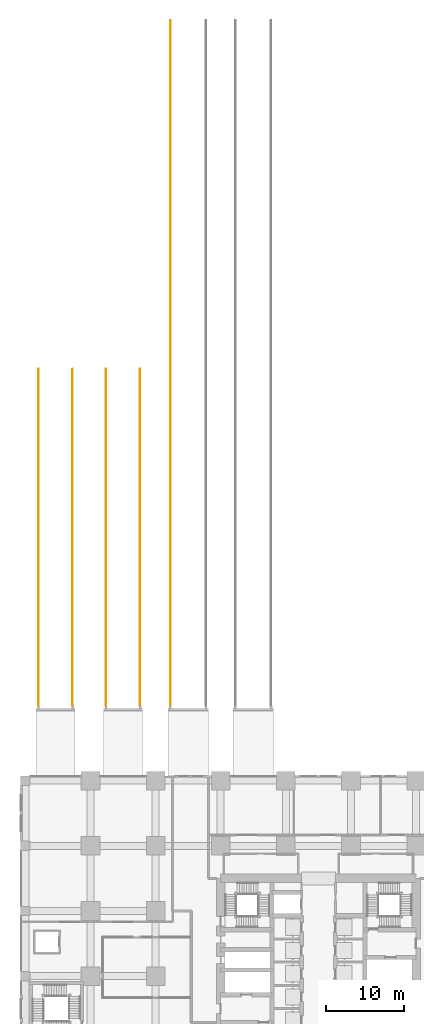
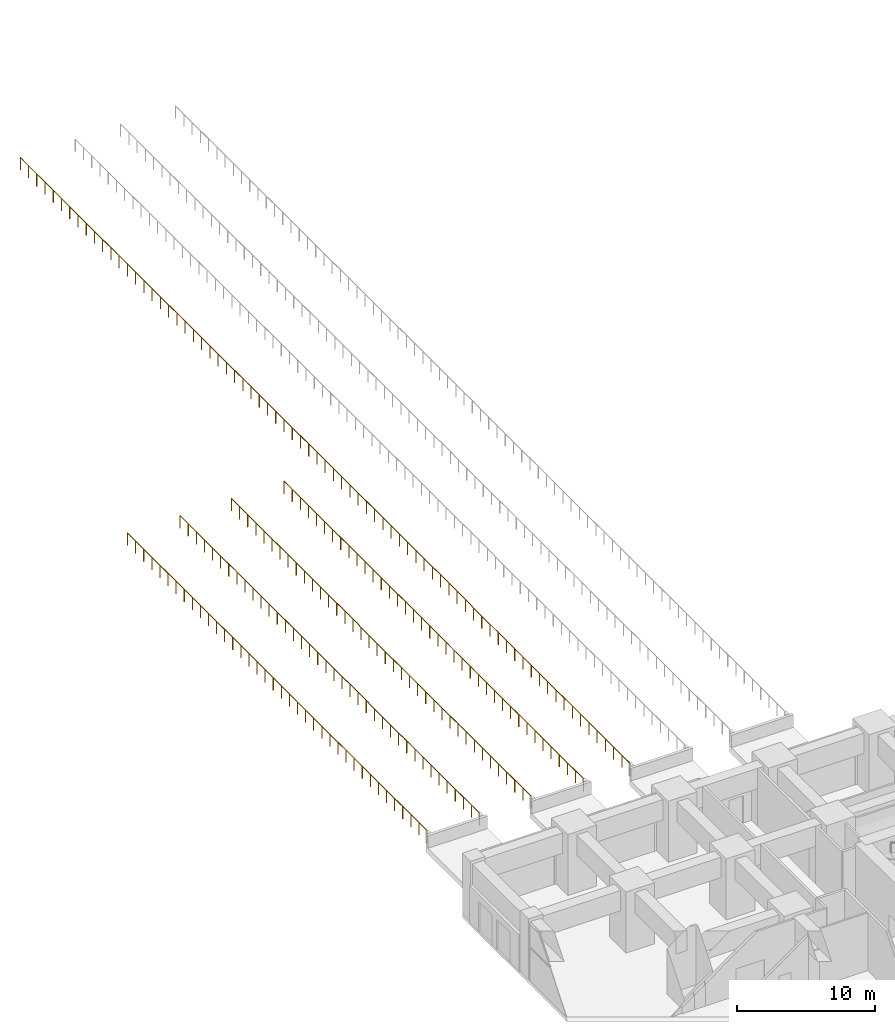
# One storey, part 55 of 81: 5 railings.
"""IFC4 building model written with IfcOpenShell, lengths in metres."""

from ifc_helpers import new_model, si_unit, direction, frame, origin, origin_2d, place, context, subcontext, project, spatial, circle, extrude, material, type_object, element, save


model = new_model("IFC4")

# Units and contexts
model_context = context("Model", 3, precision=1e-05, world=origin(), true_north=direction((0.0, 1.0)))
body_context = subcontext(model_context, "Body", "Model", "MODEL_VIEW")
ifc_project = project(units=[si_unit("LENGTHUNIT", "METRE"), si_unit("AREAUNIT", "SQUARE_METRE"), si_unit("VOLUMEUNIT", "CUBIC_METRE"), si_unit("PLANEANGLEUNIT", "RADIAN"), si_unit("MASSUNIT", "GRAM", prefix="KILO")], contexts=[model_context])

# Site, building, storey
site_placement = place(None, origin())
site = spatial("IfcSite", under=ifc_project, at=site_placement, CompositionType="ELEMENT")
building_placement = place(site_placement, origin())
building = spatial("IfcBuilding", under=site, at=building_placement, Name="Rekha Terrace Tower", CompositionType="ELEMENT")
storey_placement = place(building_placement, origin())
storey = spatial("IfcBuildingStorey", under=building, at=storey_placement, Name="L00", CompositionType="ELEMENT", Elevation=0.0)

# Railings
ifc_material = material(Name="Galvanised steel", Category="steel")
railing_type = type_object("IfcRailingType", Name="GR3 1100 vehicle ramp guard", PredefinedType="GUARDRAIL", material=ifc_material)
railing_1_placement = place(storey_placement, frame((1.699951171875, 68.5, 0.0)))
element("IfcRailing", 1, at=railing_1_placement, inside=storey, type_object=railing_type, Name="Ramp 1 guard W", PredefinedType="GUARDRAIL", context=body_context, shape_type="SweptSolid", body=[
    extrude(circle(Radius=0.02392578125, at=origin_2d()), frame((0.0, 0.0, 1.076171875), z_axis=(0.0, 1.0, 0.0), x_axis=(-1.0, 0.0, 0.0)), (0.0, 0.0, 1.0), 43.39990234375),
    extrude(circle(Radius=0.02099609375, at=origin_2d()), origin(), (0.0, 0.0, 1.0), 1.052001953125),
    extrude(circle(Radius=0.02099609375, at=origin_2d()), frame((0.0, 1.1728515625, 0.0)), (0.0, 0.0, 1.0), 1.052001953125),
    extrude(circle(Radius=0.02099609375, at=origin_2d()), frame((0.0, 2.345947265625, 0.0)), (0.0, 0.0, 1.0), 1.052001953125),
    extrude(circle(Radius=0.02099609375, at=origin_2d()), frame((0.0, 3.518798828125, 0.0)), (0.0, 0.0, 1.0), 1.052001953125),
    extrude(circle(Radius=0.02099609375, at=origin_2d()), frame((0.0, 4.69189453125, 0.0)), (0.0, 0.0, 1.0), 1.052001953125),
    extrude(circle(Radius=0.02099609375, at=origin_2d()), frame((0.0, 5.86474609375, 0.0)), (0.0, 0.0, 1.0), 1.052001953125),
    extrude(circle(Radius=0.02099609375, at=origin_2d()), frame((0.0, 7.037841796875, 0.0)), (0.0, 0.0, 1.0), 1.052001953125),
    extrude(circle(Radius=0.02099609375, at=origin_2d()), frame((0.0, 8.210693359375, 0.0)), (0.0, 0.0, 1.0), 1.052001953125),
    extrude(circle(Radius=0.02099609375, at=origin_2d()), frame((0.0, 9.3837890625, 0.0)), (0.0, 0.0, 1.0), 1.052001953125),
    extrude(circle(Radius=0.02099609375, at=origin_2d()), frame((0.0, 10.556640625, 0.0)), (0.0, 0.0, 1.0), 1.052001953125),
    extrude(circle(Radius=0.02099609375, at=origin_2d()), frame((0.0, 11.729736328125, 0.0)), (0.0, 0.0, 1.0), 1.052001953125),
    extrude(circle(Radius=0.02099609375, at=origin_2d()), frame((0.0, 12.902587890625, 0.0)), (0.0, 0.0, 1.0), 1.052001953125),
    extrude(circle(Radius=0.02099609375, at=origin_2d()), frame((0.0, 14.07568359375, 0.0)), (0.0, 0.0, 1.0), 1.052001953125),
    extrude(circle(Radius=0.02099609375, at=origin_2d()), frame((0.0, 15.24853515625, 0.0)), (0.0, 0.0, 1.0), 1.052001953125),
    extrude(circle(Radius=0.02099609375, at=origin_2d()), frame((0.0, 16.421630859375, 0.0)), (0.0, 0.0, 1.0), 1.052001953125),
    extrude(circle(Radius=0.02099609375, at=origin_2d()), frame((0.0, 17.594482421875, 0.0)), (0.0, 0.0, 1.0), 1.052001953125),
    extrude(circle(Radius=0.02099609375, at=origin_2d()), frame((0.0, 18.767578125, 0.0)), (0.0, 0.0, 1.0), 1.052001953125),
    extrude(circle(Radius=0.02099609375, at=origin_2d()), frame((0.0, 19.9404296875, 0.0)), (0.0, 0.0, 1.0), 1.052001953125),
    extrude(circle(Radius=0.02099609375, at=origin_2d()), frame((0.0, 21.113525390625, 0.0)), (0.0, 0.0, 1.0), 1.052001953125),
    extrude(circle(Radius=0.02099609375, at=origin_2d()), frame((0.0, 22.286376953125, 0.0)), (0.0, 0.0, 1.0), 1.052001953125),
    extrude(circle(Radius=0.02099609375, at=origin_2d()), frame((0.0, 23.45947265625, 0.0)), (0.0, 0.0, 1.0), 1.052001953125),
    extrude(circle(Radius=0.02099609375, at=origin_2d()), frame((0.0, 24.63232421875, 0.0)), (0.0, 0.0, 1.0), 1.052001953125),
    extrude(circle(Radius=0.02099609375, at=origin_2d()), frame((0.0, 25.805419921875, 0.0)), (0.0, 0.0, 1.0), 1.052001953125),
    extrude(circle(Radius=0.02099609375, at=origin_2d()), frame((0.0, 26.978271484375, 0.0)), (0.0, 0.0, 1.0), 1.052001953125),
    extrude(circle(Radius=0.02099609375, at=origin_2d()), frame((0.0, 28.1513671875, 0.0)), (0.0, 0.0, 1.0), 1.052001953125),
    extrude(circle(Radius=0.02099609375, at=origin_2d()), frame((0.0, 29.32421875, 0.0)), (0.0, 0.0, 1.0), 1.052001953125),
    extrude(circle(Radius=0.02099609375, at=origin_2d()), frame((0.0, 30.497314453125, 0.0)), (0.0, 0.0, 1.0), 1.052001953125),
    extrude(circle(Radius=0.02099609375, at=origin_2d()), frame((0.0, 31.670166015625, 0.0)), (0.0, 0.0, 1.0), 1.052001953125),
    extrude(circle(Radius=0.02099609375, at=origin_2d()), frame((0.0, 32.84326171875, 0.0)), (0.0, 0.0, 1.0), 1.052001953125),
    extrude(circle(Radius=0.02099609375, at=origin_2d()), frame((0.0, 34.01611328125, 0.0)), (0.0, 0.0, 1.0), 1.052001953125),
    extrude(circle(Radius=0.02099609375, at=origin_2d()), frame((0.0, 35.189208984375, 0.0)), (0.0, 0.0, 1.0), 1.052001953125),
    extrude(circle(Radius=0.02099609375, at=origin_2d()), frame((0.0, 36.362060546875, 0.0)), (0.0, 0.0, 1.0), 1.052001953125),
    extrude(circle(Radius=0.02099609375, at=origin_2d()), frame((0.0, 37.53515625, 0.0)), (0.0, 0.0, 1.0), 1.052001953125),
    extrude(circle(Radius=0.02099609375, at=origin_2d()), frame((0.0, 38.7080078125, 0.0)), (0.0, 0.0, 1.0), 1.052001953125),
    extrude(circle(Radius=0.02099609375, at=origin_2d()), frame((0.0, 39.881103515625, 0.0)), (0.0, 0.0, 1.0), 1.052001953125),
    extrude(circle(Radius=0.02099609375, at=origin_2d()), frame((0.0, 41.053955078125, 0.0)), (0.0, 0.0, 1.0), 1.052001953125),
    extrude(circle(Radius=0.02099609375, at=origin_2d()), frame((0.0, 42.22705078125, 0.0)), (0.0, 0.0, 1.0), 1.052001953125),
    extrude(circle(Radius=0.02099609375, at=origin_2d()), frame((0.0, 43.39990234375, 0.0)), (0.0, 0.0, 1.0), 1.052001953125),
])
railing_2_placement = place(storey_placement, frame((6.10009765625, 68.5, 0.0)))
element("IfcRailing", 2, at=railing_2_placement, inside=storey, type_object=railing_type, Name="Ramp 1 guard E", PredefinedType="GUARDRAIL", context=body_context, shape_type="SweptSolid", body=[
    extrude(circle(Radius=0.02392578125, at=origin_2d()), frame((0.0, 0.0, 1.076171875), z_axis=(0.0, 1.0, 0.0), x_axis=(-1.0, 0.0, 0.0)), (0.0, 0.0, 1.0), 43.39990234375),
    extrude(circle(Radius=0.02099609375, at=origin_2d()), origin(), (0.0, 0.0, 1.0), 1.052001953125),
    extrude(circle(Radius=0.02099609375, at=origin_2d()), frame((0.0, 1.1728515625, 0.0)), (0.0, 0.0, 1.0), 1.052001953125),
    extrude(circle(Radius=0.02099609375, at=origin_2d()), frame((0.0, 2.345947265625, 0.0)), (0.0, 0.0, 1.0), 1.052001953125),
    extrude(circle(Radius=0.02099609375, at=origin_2d()), frame((0.0, 3.518798828125, 0.0)), (0.0, 0.0, 1.0), 1.052001953125),
    extrude(circle(Radius=0.02099609375, at=origin_2d()), frame((0.0, 4.69189453125, 0.0)), (0.0, 0.0, 1.0), 1.052001953125),
    extrude(circle(Radius=0.02099609375, at=origin_2d()), frame((0.0, 5.86474609375, 0.0)), (0.0, 0.0, 1.0), 1.052001953125),
    extrude(circle(Radius=0.02099609375, at=origin_2d()), frame((0.0, 7.037841796875, 0.0)), (0.0, 0.0, 1.0), 1.052001953125),
    extrude(circle(Radius=0.02099609375, at=origin_2d()), frame((0.0, 8.210693359375, 0.0)), (0.0, 0.0, 1.0), 1.052001953125),
    extrude(circle(Radius=0.02099609375, at=origin_2d()), frame((0.0, 9.3837890625, 0.0)), (0.0, 0.0, 1.0), 1.052001953125),
    extrude(circle(Radius=0.02099609375, at=origin_2d()), frame((0.0, 10.556640625, 0.0)), (0.0, 0.0, 1.0), 1.052001953125),
    extrude(circle(Radius=0.02099609375, at=origin_2d()), frame((0.0, 11.729736328125, 0.0)), (0.0, 0.0, 1.0), 1.052001953125),
    extrude(circle(Radius=0.02099609375, at=origin_2d()), frame((0.0, 12.902587890625, 0.0)), (0.0, 0.0, 1.0), 1.052001953125),
    extrude(circle(Radius=0.02099609375, at=origin_2d()), frame((0.0, 14.07568359375, 0.0)), (0.0, 0.0, 1.0), 1.052001953125),
    extrude(circle(Radius=0.02099609375, at=origin_2d()), frame((0.0, 15.24853515625, 0.0)), (0.0, 0.0, 1.0), 1.052001953125),
    extrude(circle(Radius=0.02099609375, at=origin_2d()), frame((0.0, 16.421630859375, 0.0)), (0.0, 0.0, 1.0), 1.052001953125),
    extrude(circle(Radius=0.02099609375, at=origin_2d()), frame((0.0, 17.594482421875, 0.0)), (0.0, 0.0, 1.0), 1.052001953125),
    extrude(circle(Radius=0.02099609375, at=origin_2d()), frame((0.0, 18.767578125, 0.0)), (0.0, 0.0, 1.0), 1.052001953125),
    extrude(circle(Radius=0.02099609375, at=origin_2d()), frame((0.0, 19.9404296875, 0.0)), (0.0, 0.0, 1.0), 1.052001953125),
    extrude(circle(Radius=0.02099609375, at=origin_2d()), frame((0.0, 21.113525390625, 0.0)), (0.0, 0.0, 1.0), 1.052001953125),
    extrude(circle(Radius=0.02099609375, at=origin_2d()), frame((0.0, 22.286376953125, 0.0)), (0.0, 0.0, 1.0), 1.052001953125),
    extrude(circle(Radius=0.02099609375, at=origin_2d()), frame((0.0, 23.45947265625, 0.0)), (0.0, 0.0, 1.0), 1.052001953125),
    extrude(circle(Radius=0.02099609375, at=origin_2d()), frame((0.0, 24.63232421875, 0.0)), (0.0, 0.0, 1.0), 1.052001953125),
    extrude(circle(Radius=0.02099609375, at=origin_2d()), frame((0.0, 25.805419921875, 0.0)), (0.0, 0.0, 1.0), 1.052001953125),
    extrude(circle(Radius=0.02099609375, at=origin_2d()), frame((0.0, 26.978271484375, 0.0)), (0.0, 0.0, 1.0), 1.052001953125),
    extrude(circle(Radius=0.02099609375, at=origin_2d()), frame((0.0, 28.1513671875, 0.0)), (0.0, 0.0, 1.0), 1.052001953125),
    extrude(circle(Radius=0.02099609375, at=origin_2d()), frame((0.0, 29.32421875, 0.0)), (0.0, 0.0, 1.0), 1.052001953125),
    extrude(circle(Radius=0.02099609375, at=origin_2d()), frame((0.0, 30.497314453125, 0.0)), (0.0, 0.0, 1.0), 1.052001953125),
    extrude(circle(Radius=0.02099609375, at=origin_2d()), frame((0.0, 31.670166015625, 0.0)), (0.0, 0.0, 1.0), 1.052001953125),
    extrude(circle(Radius=0.02099609375, at=origin_2d()), frame((0.0, 32.84326171875, 0.0)), (0.0, 0.0, 1.0), 1.052001953125),
    extrude(circle(Radius=0.02099609375, at=origin_2d()), frame((0.0, 34.01611328125, 0.0)), (0.0, 0.0, 1.0), 1.052001953125),
    extrude(circle(Radius=0.02099609375, at=origin_2d()), frame((0.0, 35.189208984375, 0.0)), (0.0, 0.0, 1.0), 1.052001953125),
    extrude(circle(Radius=0.02099609375, at=origin_2d()), frame((0.0, 36.362060546875, 0.0)), (0.0, 0.0, 1.0), 1.052001953125),
    extrude(circle(Radius=0.02099609375, at=origin_2d()), frame((0.0, 37.53515625, 0.0)), (0.0, 0.0, 1.0), 1.052001953125),
    extrude(circle(Radius=0.02099609375, at=origin_2d()), frame((0.0, 38.7080078125, 0.0)), (0.0, 0.0, 1.0), 1.052001953125),
    extrude(circle(Radius=0.02099609375, at=origin_2d()), frame((0.0, 39.881103515625, 0.0)), (0.0, 0.0, 1.0), 1.052001953125),
    extrude(circle(Radius=0.02099609375, at=origin_2d()), frame((0.0, 41.053955078125, 0.0)), (0.0, 0.0, 1.0), 1.052001953125),
    extrude(circle(Radius=0.02099609375, at=origin_2d()), frame((0.0, 42.22705078125, 0.0)), (0.0, 0.0, 1.0), 1.052001953125),
    extrude(circle(Radius=0.02099609375, at=origin_2d()), frame((0.0, 43.39990234375, 0.0)), (0.0, 0.0, 1.0), 1.052001953125),
])
railing_3_placement = place(storey_placement, frame((10.39990234375, 68.5, 0.0)))
element("IfcRailing", 3, at=railing_3_placement, inside=storey, type_object=railing_type, Name="Ramp 2 guard W", PredefinedType="GUARDRAIL", context=body_context, shape_type="SweptSolid", body=[
    extrude(circle(Radius=0.02392578125, at=origin_2d()), frame((0.0, 0.0, 1.076171875), z_axis=(0.0, 1.0, 0.0), x_axis=(-1.0, 0.0, 0.0)), (0.0, 0.0, 1.0), 43.39990234375),
    extrude(circle(Radius=0.02099609375, at=origin_2d()), origin(), (0.0, 0.0, 1.0), 1.052001953125),
    extrude(circle(Radius=0.02099609375, at=origin_2d()), frame((0.0, 1.1728515625, 0.0)), (0.0, 0.0, 1.0), 1.052001953125),
    extrude(circle(Radius=0.02099609375, at=origin_2d()), frame((0.0, 2.345947265625, 0.0)), (0.0, 0.0, 1.0), 1.052001953125),
    extrude(circle(Radius=0.02099609375, at=origin_2d()), frame((0.0, 3.518798828125, 0.0)), (0.0, 0.0, 1.0), 1.052001953125),
    extrude(circle(Radius=0.02099609375, at=origin_2d()), frame((0.0, 4.69189453125, 0.0)), (0.0, 0.0, 1.0), 1.052001953125),
    extrude(circle(Radius=0.02099609375, at=origin_2d()), frame((0.0, 5.86474609375, 0.0)), (0.0, 0.0, 1.0), 1.052001953125),
    extrude(circle(Radius=0.02099609375, at=origin_2d()), frame((0.0, 7.037841796875, 0.0)), (0.0, 0.0, 1.0), 1.052001953125),
    extrude(circle(Radius=0.02099609375, at=origin_2d()), frame((0.0, 8.210693359375, 0.0)), (0.0, 0.0, 1.0), 1.052001953125),
    extrude(circle(Radius=0.02099609375, at=origin_2d()), frame((0.0, 9.3837890625, 0.0)), (0.0, 0.0, 1.0), 1.052001953125),
    extrude(circle(Radius=0.02099609375, at=origin_2d()), frame((0.0, 10.556640625, 0.0)), (0.0, 0.0, 1.0), 1.052001953125),
    extrude(circle(Radius=0.02099609375, at=origin_2d()), frame((0.0, 11.729736328125, 0.0)), (0.0, 0.0, 1.0), 1.052001953125),
    extrude(circle(Radius=0.02099609375, at=origin_2d()), frame((0.0, 12.902587890625, 0.0)), (0.0, 0.0, 1.0), 1.052001953125),
    extrude(circle(Radius=0.02099609375, at=origin_2d()), frame((0.0, 14.07568359375, 0.0)), (0.0, 0.0, 1.0), 1.052001953125),
    extrude(circle(Radius=0.02099609375, at=origin_2d()), frame((0.0, 15.24853515625, 0.0)), (0.0, 0.0, 1.0), 1.052001953125),
    extrude(circle(Radius=0.02099609375, at=origin_2d()), frame((0.0, 16.421630859375, 0.0)), (0.0, 0.0, 1.0), 1.052001953125),
    extrude(circle(Radius=0.02099609375, at=origin_2d()), frame((0.0, 17.594482421875, 0.0)), (0.0, 0.0, 1.0), 1.052001953125),
    extrude(circle(Radius=0.02099609375, at=origin_2d()), frame((0.0, 18.767578125, 0.0)), (0.0, 0.0, 1.0), 1.052001953125),
    extrude(circle(Radius=0.02099609375, at=origin_2d()), frame((0.0, 19.9404296875, 0.0)), (0.0, 0.0, 1.0), 1.052001953125),
    extrude(circle(Radius=0.02099609375, at=origin_2d()), frame((0.0, 21.113525390625, 0.0)), (0.0, 0.0, 1.0), 1.052001953125),
    extrude(circle(Radius=0.02099609375, at=origin_2d()), frame((0.0, 22.286376953125, 0.0)), (0.0, 0.0, 1.0), 1.052001953125),
    extrude(circle(Radius=0.02099609375, at=origin_2d()), frame((0.0, 23.45947265625, 0.0)), (0.0, 0.0, 1.0), 1.052001953125),
    extrude(circle(Radius=0.02099609375, at=origin_2d()), frame((0.0, 24.63232421875, 0.0)), (0.0, 0.0, 1.0), 1.052001953125),
    extrude(circle(Radius=0.02099609375, at=origin_2d()), frame((0.0, 25.805419921875, 0.0)), (0.0, 0.0, 1.0), 1.052001953125),
    extrude(circle(Radius=0.02099609375, at=origin_2d()), frame((0.0, 26.978271484375, 0.0)), (0.0, 0.0, 1.0), 1.052001953125),
    extrude(circle(Radius=0.02099609375, at=origin_2d()), frame((0.0, 28.1513671875, 0.0)), (0.0, 0.0, 1.0), 1.052001953125),
    extrude(circle(Radius=0.02099609375, at=origin_2d()), frame((0.0, 29.32421875, 0.0)), (0.0, 0.0, 1.0), 1.052001953125),
    extrude(circle(Radius=0.02099609375, at=origin_2d()), frame((0.0, 30.497314453125, 0.0)), (0.0, 0.0, 1.0), 1.052001953125),
    extrude(circle(Radius=0.02099609375, at=origin_2d()), frame((0.0, 31.670166015625, 0.0)), (0.0, 0.0, 1.0), 1.052001953125),
    extrude(circle(Radius=0.02099609375, at=origin_2d()), frame((0.0, 32.84326171875, 0.0)), (0.0, 0.0, 1.0), 1.052001953125),
    extrude(circle(Radius=0.02099609375, at=origin_2d()), frame((0.0, 34.01611328125, 0.0)), (0.0, 0.0, 1.0), 1.052001953125),
    extrude(circle(Radius=0.02099609375, at=origin_2d()), frame((0.0, 35.189208984375, 0.0)), (0.0, 0.0, 1.0), 1.052001953125),
    extrude(circle(Radius=0.02099609375, at=origin_2d()), frame((0.0, 36.362060546875, 0.0)), (0.0, 0.0, 1.0), 1.052001953125),
    extrude(circle(Radius=0.02099609375, at=origin_2d()), frame((0.0, 37.53515625, 0.0)), (0.0, 0.0, 1.0), 1.052001953125),
    extrude(circle(Radius=0.02099609375, at=origin_2d()), frame((0.0, 38.7080078125, 0.0)), (0.0, 0.0, 1.0), 1.052001953125),
    extrude(circle(Radius=0.02099609375, at=origin_2d()), frame((0.0, 39.881103515625, 0.0)), (0.0, 0.0, 1.0), 1.052001953125),
    extrude(circle(Radius=0.02099609375, at=origin_2d()), frame((0.0, 41.053955078125, 0.0)), (0.0, 0.0, 1.0), 1.052001953125),
    extrude(circle(Radius=0.02099609375, at=origin_2d()), frame((0.0, 42.22705078125, 0.0)), (0.0, 0.0, 1.0), 1.052001953125),
    extrude(circle(Radius=0.02099609375, at=origin_2d()), frame((0.0, 43.39990234375, 0.0)), (0.0, 0.0, 1.0), 1.052001953125),
])
railing_4_placement = place(storey_placement, frame((14.800048828125, 68.5, 0.0)))
element("IfcRailing", 4, at=railing_4_placement, inside=storey, type_object=railing_type, Name="Ramp 2 guard E", PredefinedType="GUARDRAIL", context=body_context, shape_type="SweptSolid", body=[
    extrude(circle(Radius=0.02392578125, at=origin_2d()), frame((0.0, 0.0, 1.076171875), z_axis=(0.0, 1.0, 0.0), x_axis=(-1.0, 0.0, 0.0)), (0.0, 0.0, 1.0), 43.39990234375),
    extrude(circle(Radius=0.02099609375, at=origin_2d()), origin(), (0.0, 0.0, 1.0), 1.052001953125),
    extrude(circle(Radius=0.02099609375, at=origin_2d()), frame((0.0, 1.1728515625, 0.0)), (0.0, 0.0, 1.0), 1.052001953125),
    extrude(circle(Radius=0.02099609375, at=origin_2d()), frame((0.0, 2.345947265625, 0.0)), (0.0, 0.0, 1.0), 1.052001953125),
    extrude(circle(Radius=0.02099609375, at=origin_2d()), frame((0.0, 3.518798828125, 0.0)), (0.0, 0.0, 1.0), 1.052001953125),
    extrude(circle(Radius=0.02099609375, at=origin_2d()), frame((0.0, 4.69189453125, 0.0)), (0.0, 0.0, 1.0), 1.052001953125),
    extrude(circle(Radius=0.02099609375, at=origin_2d()), frame((0.0, 5.86474609375, 0.0)), (0.0, 0.0, 1.0), 1.052001953125),
    extrude(circle(Radius=0.02099609375, at=origin_2d()), frame((0.0, 7.037841796875, 0.0)), (0.0, 0.0, 1.0), 1.052001953125),
    extrude(circle(Radius=0.02099609375, at=origin_2d()), frame((0.0, 8.210693359375, 0.0)), (0.0, 0.0, 1.0), 1.052001953125),
    extrude(circle(Radius=0.02099609375, at=origin_2d()), frame((0.0, 9.3837890625, 0.0)), (0.0, 0.0, 1.0), 1.052001953125),
    extrude(circle(Radius=0.02099609375, at=origin_2d()), frame((0.0, 10.556640625, 0.0)), (0.0, 0.0, 1.0), 1.052001953125),
    extrude(circle(Radius=0.02099609375, at=origin_2d()), frame((0.0, 11.729736328125, 0.0)), (0.0, 0.0, 1.0), 1.052001953125),
    extrude(circle(Radius=0.02099609375, at=origin_2d()), frame((0.0, 12.902587890625, 0.0)), (0.0, 0.0, 1.0), 1.052001953125),
    extrude(circle(Radius=0.02099609375, at=origin_2d()), frame((0.0, 14.07568359375, 0.0)), (0.0, 0.0, 1.0), 1.052001953125),
    extrude(circle(Radius=0.02099609375, at=origin_2d()), frame((0.0, 15.24853515625, 0.0)), (0.0, 0.0, 1.0), 1.052001953125),
    extrude(circle(Radius=0.02099609375, at=origin_2d()), frame((0.0, 16.421630859375, 0.0)), (0.0, 0.0, 1.0), 1.052001953125),
    extrude(circle(Radius=0.02099609375, at=origin_2d()), frame((0.0, 17.594482421875, 0.0)), (0.0, 0.0, 1.0), 1.052001953125),
    extrude(circle(Radius=0.02099609375, at=origin_2d()), frame((0.0, 18.767578125, 0.0)), (0.0, 0.0, 1.0), 1.052001953125),
    extrude(circle(Radius=0.02099609375, at=origin_2d()), frame((0.0, 19.9404296875, 0.0)), (0.0, 0.0, 1.0), 1.052001953125),
    extrude(circle(Radius=0.02099609375, at=origin_2d()), frame((0.0, 21.113525390625, 0.0)), (0.0, 0.0, 1.0), 1.052001953125),
    extrude(circle(Radius=0.02099609375, at=origin_2d()), frame((0.0, 22.286376953125, 0.0)), (0.0, 0.0, 1.0), 1.052001953125),
    extrude(circle(Radius=0.02099609375, at=origin_2d()), frame((0.0, 23.45947265625, 0.0)), (0.0, 0.0, 1.0), 1.052001953125),
    extrude(circle(Radius=0.02099609375, at=origin_2d()), frame((0.0, 24.63232421875, 0.0)), (0.0, 0.0, 1.0), 1.052001953125),
    extrude(circle(Radius=0.02099609375, at=origin_2d()), frame((0.0, 25.805419921875, 0.0)), (0.0, 0.0, 1.0), 1.052001953125),
    extrude(circle(Radius=0.02099609375, at=origin_2d()), frame((0.0, 26.978271484375, 0.0)), (0.0, 0.0, 1.0), 1.052001953125),
    extrude(circle(Radius=0.02099609375, at=origin_2d()), frame((0.0, 28.1513671875, 0.0)), (0.0, 0.0, 1.0), 1.052001953125),
    extrude(circle(Radius=0.02099609375, at=origin_2d()), frame((0.0, 29.32421875, 0.0)), (0.0, 0.0, 1.0), 1.052001953125),
    extrude(circle(Radius=0.02099609375, at=origin_2d()), frame((0.0, 30.497314453125, 0.0)), (0.0, 0.0, 1.0), 1.052001953125),
    extrude(circle(Radius=0.02099609375, at=origin_2d()), frame((0.0, 31.670166015625, 0.0)), (0.0, 0.0, 1.0), 1.052001953125),
    extrude(circle(Radius=0.02099609375, at=origin_2d()), frame((0.0, 32.84326171875, 0.0)), (0.0, 0.0, 1.0), 1.052001953125),
    extrude(circle(Radius=0.02099609375, at=origin_2d()), frame((0.0, 34.01611328125, 0.0)), (0.0, 0.0, 1.0), 1.052001953125),
    extrude(circle(Radius=0.02099609375, at=origin_2d()), frame((0.0, 35.189208984375, 0.0)), (0.0, 0.0, 1.0), 1.052001953125),
    extrude(circle(Radius=0.02099609375, at=origin_2d()), frame((0.0, 36.362060546875, 0.0)), (0.0, 0.0, 1.0), 1.052001953125),
    extrude(circle(Radius=0.02099609375, at=origin_2d()), frame((0.0, 37.53515625, 0.0)), (0.0, 0.0, 1.0), 1.052001953125),
    extrude(circle(Radius=0.02099609375, at=origin_2d()), frame((0.0, 38.7080078125, 0.0)), (0.0, 0.0, 1.0), 1.052001953125),
    extrude(circle(Radius=0.02099609375, at=origin_2d()), frame((0.0, 39.881103515625, 0.0)), (0.0, 0.0, 1.0), 1.052001953125),
    extrude(circle(Radius=0.02099609375, at=origin_2d()), frame((0.0, 41.053955078125, 0.0)), (0.0, 0.0, 1.0), 1.052001953125),
    extrude(circle(Radius=0.02099609375, at=origin_2d()), frame((0.0, 42.22705078125, 0.0)), (0.0, 0.0, 1.0), 1.052001953125),
    extrude(circle(Radius=0.02099609375, at=origin_2d()), frame((0.0, 43.39990234375, 0.0)), (0.0, 0.0, 1.0), 1.052001953125),
])
railing_5_placement = place(storey_placement, frame((18.699951171875, 68.5, 0.0)))
element("IfcRailing", 5, at=railing_5_placement, inside=storey, type_object=railing_type, Name="Ramp 3 guard W", PredefinedType="GUARDRAIL", context=body_context, shape_type="SweptSolid", body=[
    extrude(circle(Radius=0.02392578125, at=origin_2d()), frame((0.0, 0.0, 1.076171875), z_axis=(0.0, 1.0, 0.0), x_axis=(-1.0, 0.0, 0.0)), (0.0, 0.0, 1.0), 88.39990234375),
    extrude(circle(Radius=0.02099609375, at=origin_2d()), origin(), (0.0, 0.0, 1.0), 1.052001953125),
    extrude(circle(Radius=0.02099609375, at=origin_2d()), frame((0.0, 1.194580078125, 0.0)), (0.0, 0.0, 1.0), 1.052001953125),
    extrude(circle(Radius=0.02099609375, at=origin_2d()), frame((0.0, 2.38916015625, 0.0)), (0.0, 0.0, 1.0), 1.052001953125),
    extrude(circle(Radius=0.02099609375, at=origin_2d()), frame((0.0, 3.583740234375, 0.0)), (0.0, 0.0, 1.0), 1.052001953125),
    extrude(circle(Radius=0.02099609375, at=origin_2d()), frame((0.0, 4.7783203125, 0.0)), (0.0, 0.0, 1.0), 1.052001953125),
    extrude(circle(Radius=0.02099609375, at=origin_2d()), frame((0.0, 5.972900390625, 0.0)), (0.0, 0.0, 1.0), 1.052001953125),
    extrude(circle(Radius=0.02099609375, at=origin_2d()), frame((0.0, 7.16748046875, 0.0)), (0.0, 0.0, 1.0), 1.052001953125),
    extrude(circle(Radius=0.02099609375, at=origin_2d()), frame((0.0, 8.362060546875, 0.0)), (0.0, 0.0, 1.0), 1.052001953125),
    extrude(circle(Radius=0.02099609375, at=origin_2d()), frame((0.0, 9.556640625, 0.0)), (0.0, 0.0, 1.0), 1.052001953125),
    extrude(circle(Radius=0.02099609375, at=origin_2d()), frame((0.0, 10.751220703125, 0.0)), (0.0, 0.0, 1.0), 1.052001953125),
    extrude(circle(Radius=0.02099609375, at=origin_2d()), frame((0.0, 11.946044921875, 0.0)), (0.0, 0.0, 1.0), 1.052001953125),
    extrude(circle(Radius=0.02099609375, at=origin_2d()), frame((0.0, 13.140625, 0.0)), (0.0, 0.0, 1.0), 1.052001953125),
    extrude(circle(Radius=0.02099609375, at=origin_2d()), frame((0.0, 14.335205078125, 0.0)), (0.0, 0.0, 1.0), 1.052001953125),
    extrude(circle(Radius=0.02099609375, at=origin_2d()), frame((0.0, 15.52978515625, 0.0)), (0.0, 0.0, 1.0), 1.052001953125),
    extrude(circle(Radius=0.02099609375, at=origin_2d()), frame((0.0, 16.724365234375, 0.0)), (0.0, 0.0, 1.0), 1.052001953125),
    extrude(circle(Radius=0.02099609375, at=origin_2d()), frame((0.0, 17.9189453125, 0.0)), (0.0, 0.0, 1.0), 1.052001953125),
    extrude(circle(Radius=0.02099609375, at=origin_2d()), frame((0.0, 19.113525390625, 0.0)), (0.0, 0.0, 1.0), 1.052001953125),
    extrude(circle(Radius=0.02099609375, at=origin_2d()), frame((0.0, 20.30810546875, 0.0)), (0.0, 0.0, 1.0), 1.052001953125),
    extrude(circle(Radius=0.02099609375, at=origin_2d()), frame((0.0, 21.502685546875, 0.0)), (0.0, 0.0, 1.0), 1.052001953125),
    extrude(circle(Radius=0.02099609375, at=origin_2d()), frame((0.0, 22.697265625, 0.0)), (0.0, 0.0, 1.0), 1.052001953125),
    extrude(circle(Radius=0.02099609375, at=origin_2d()), frame((0.0, 23.891845703125, 0.0)), (0.0, 0.0, 1.0), 1.052001953125),
    extrude(circle(Radius=0.02099609375, at=origin_2d()), frame((0.0, 25.08642578125, 0.0)), (0.0, 0.0, 1.0), 1.052001953125),
    extrude(circle(Radius=0.02099609375, at=origin_2d()), frame((0.0, 26.281005859375, 0.0)), (0.0, 0.0, 1.0), 1.052001953125),
    extrude(circle(Radius=0.02099609375, at=origin_2d()), frame((0.0, 27.4755859375, 0.0)), (0.0, 0.0, 1.0), 1.052001953125),
    extrude(circle(Radius=0.02099609375, at=origin_2d()), frame((0.0, 28.670166015625, 0.0)), (0.0, 0.0, 1.0), 1.052001953125),
    extrude(circle(Radius=0.02099609375, at=origin_2d()), frame((0.0, 29.86474609375, 0.0)), (0.0, 0.0, 1.0), 1.052001953125),
    extrude(circle(Radius=0.02099609375, at=origin_2d()), frame((0.0, 31.059326171875, 0.0)), (0.0, 0.0, 1.0), 1.052001953125),
    extrude(circle(Radius=0.02099609375, at=origin_2d()), frame((0.0, 32.25390625, 0.0)), (0.0, 0.0, 1.0), 1.052001953125),
    extrude(circle(Radius=0.02099609375, at=origin_2d()), frame((0.0, 33.44873046875, 0.0)), (0.0, 0.0, 1.0), 1.052001953125),
    extrude(circle(Radius=0.02099609375, at=origin_2d()), frame((0.0, 34.643310546875, 0.0)), (0.0, 0.0, 1.0), 1.052001953125),
    extrude(circle(Radius=0.02099609375, at=origin_2d()), frame((0.0, 35.837890625, 0.0)), (0.0, 0.0, 1.0), 1.052001953125),
    extrude(circle(Radius=0.02099609375, at=origin_2d()), frame((0.0, 37.032470703125, 0.0)), (0.0, 0.0, 1.0), 1.052001953125),
    extrude(circle(Radius=0.02099609375, at=origin_2d()), frame((0.0, 38.22705078125, 0.0)), (0.0, 0.0, 1.0), 1.052001953125),
    extrude(circle(Radius=0.02099609375, at=origin_2d()), frame((0.0, 39.421630859375, 0.0)), (0.0, 0.0, 1.0), 1.052001953125),
    extrude(circle(Radius=0.02099609375, at=origin_2d()), frame((0.0, 40.6162109375, 0.0)), (0.0, 0.0, 1.0), 1.052001953125),
    extrude(circle(Radius=0.02099609375, at=origin_2d()), frame((0.0, 41.810791015625, 0.0)), (0.0, 0.0, 1.0), 1.052001953125),
    extrude(circle(Radius=0.02099609375, at=origin_2d()), frame((0.0, 43.00537109375, 0.0)), (0.0, 0.0, 1.0), 1.052001953125),
    extrude(circle(Radius=0.02099609375, at=origin_2d()), frame((0.0, 44.199951171875, 0.0)), (0.0, 0.0, 1.0), 1.052001953125),
    extrude(circle(Radius=0.02099609375, at=origin_2d()), frame((0.0, 45.39453125, 0.0)), (0.0, 0.0, 1.0), 1.052001953125),
    extrude(circle(Radius=0.02099609375, at=origin_2d()), frame((0.0, 46.589111328125, 0.0)), (0.0, 0.0, 1.0), 1.052001953125),
    extrude(circle(Radius=0.02099609375, at=origin_2d()), frame((0.0, 47.78369140625, 0.0)), (0.0, 0.0, 1.0), 1.052001953125),
    extrude(circle(Radius=0.02099609375, at=origin_2d()), frame((0.0, 48.978271484375, 0.0)), (0.0, 0.0, 1.0), 1.052001953125),
    extrude(circle(Radius=0.02099609375, at=origin_2d()), frame((0.0, 50.1728515625, 0.0)), (0.0, 0.0, 1.0), 1.052001953125),
    extrude(circle(Radius=0.02099609375, at=origin_2d()), frame((0.0, 51.367431640625, 0.0)), (0.0, 0.0, 1.0), 1.052001953125),
    extrude(circle(Radius=0.02099609375, at=origin_2d()), frame((0.0, 52.56201171875, 0.0)), (0.0, 0.0, 1.0), 1.052001953125),
    extrude(circle(Radius=0.02099609375, at=origin_2d()), frame((0.0, 53.756591796875, 0.0)), (0.0, 0.0, 1.0), 1.052001953125),
    extrude(circle(Radius=0.02099609375, at=origin_2d()), frame((0.0, 54.951171875, 0.0)), (0.0, 0.0, 1.0), 1.052001953125),
    extrude(circle(Radius=0.02099609375, at=origin_2d()), frame((0.0, 56.14599609375, 0.0)), (0.0, 0.0, 1.0), 1.052001953125),
    extrude(circle(Radius=0.02099609375, at=origin_2d()), frame((0.0, 57.340576171875, 0.0)), (0.0, 0.0, 1.0), 1.052001953125),
    extrude(circle(Radius=0.02099609375, at=origin_2d()), frame((0.0, 58.53515625, 0.0)), (0.0, 0.0, 1.0), 1.052001953125),
    extrude(circle(Radius=0.02099609375, at=origin_2d()), frame((0.0, 59.729736328125, 0.0)), (0.0, 0.0, 1.0), 1.052001953125),
    extrude(circle(Radius=0.02099609375, at=origin_2d()), frame((0.0, 60.92431640625, 0.0)), (0.0, 0.0, 1.0), 1.052001953125),
    extrude(circle(Radius=0.02099609375, at=origin_2d()), frame((0.0, 62.118896484375, 0.0)), (0.0, 0.0, 1.0), 1.052001953125),
    extrude(circle(Radius=0.02099609375, at=origin_2d()), frame((0.0, 63.3134765625, 0.0)), (0.0, 0.0, 1.0), 1.052001953125),
    extrude(circle(Radius=0.02099609375, at=origin_2d()), frame((0.0, 64.508056640625, 0.0)), (0.0, 0.0, 1.0), 1.052001953125),
    extrude(circle(Radius=0.02099609375, at=origin_2d()), frame((0.0, 65.70263671875, 0.0)), (0.0, 0.0, 1.0), 1.052001953125),
    extrude(circle(Radius=0.02099609375, at=origin_2d()), frame((0.0, 66.897216796875, 0.0)), (0.0, 0.0, 1.0), 1.052001953125),
    extrude(circle(Radius=0.02099609375, at=origin_2d()), frame((0.0, 68.091796875, 0.0)), (0.0, 0.0, 1.0), 1.052001953125),
    extrude(circle(Radius=0.02099609375, at=origin_2d()), frame((0.0, 69.286376953125, 0.0)), (0.0, 0.0, 1.0), 1.052001953125),
    extrude(circle(Radius=0.02099609375, at=origin_2d()), frame((0.0, 70.48095703125, 0.0)), (0.0, 0.0, 1.0), 1.052001953125),
    extrude(circle(Radius=0.02099609375, at=origin_2d()), frame((0.0, 71.675537109375, 0.0)), (0.0, 0.0, 1.0), 1.052001953125),
    extrude(circle(Radius=0.02099609375, at=origin_2d()), frame((0.0, 72.8701171875, 0.0)), (0.0, 0.0, 1.0), 1.052001953125),
    extrude(circle(Radius=0.02099609375, at=origin_2d()), frame((0.0, 74.064697265625, 0.0)), (0.0, 0.0, 1.0), 1.052001953125),
    extrude(circle(Radius=0.02099609375, at=origin_2d()), frame((0.0, 75.25927734375, 0.0)), (0.0, 0.0, 1.0), 1.052001953125),
    extrude(circle(Radius=0.02099609375, at=origin_2d()), frame((0.0, 76.453857421875, 0.0)), (0.0, 0.0, 1.0), 1.052001953125),
    extrude(circle(Radius=0.02099609375, at=origin_2d()), frame((0.0, 77.648681640625, 0.0)), (0.0, 0.0, 1.0), 1.052001953125),
    extrude(circle(Radius=0.02099609375, at=origin_2d()), frame((0.0, 78.84326171875, 0.0)), (0.0, 0.0, 1.0), 1.052001953125),
    extrude(circle(Radius=0.02099609375, at=origin_2d()), frame((0.0, 80.037841796875, 0.0)), (0.0, 0.0, 1.0), 1.052001953125),
    extrude(circle(Radius=0.02099609375, at=origin_2d()), frame((0.0, 81.232421875, 0.0)), (0.0, 0.0, 1.0), 1.052001953125),
    extrude(circle(Radius=0.02099609375, at=origin_2d()), frame((0.0, 82.427001953125, 0.0)), (0.0, 0.0, 1.0), 1.052001953125),
    extrude(circle(Radius=0.02099609375, at=origin_2d()), frame((0.0, 83.62158203125, 0.0)), (0.0, 0.0, 1.0), 1.052001953125),
    extrude(circle(Radius=0.02099609375, at=origin_2d()), frame((0.0, 84.816162109375, 0.0)), (0.0, 0.0, 1.0), 1.052001953125),
    extrude(circle(Radius=0.02099609375, at=origin_2d()), frame((0.0, 86.0107421875, 0.0)), (0.0, 0.0, 1.0), 1.052001953125),
    extrude(circle(Radius=0.02099609375, at=origin_2d()), frame((0.0, 87.205322265625, 0.0)), (0.0, 0.0, 1.0), 1.052001953125),
    extrude(circle(Radius=0.02099609375, at=origin_2d()), frame((0.0, 88.39990234375, 0.0)), (0.0, 0.0, 1.0), 1.052001953125),
])

save(model, "model.ifc")
